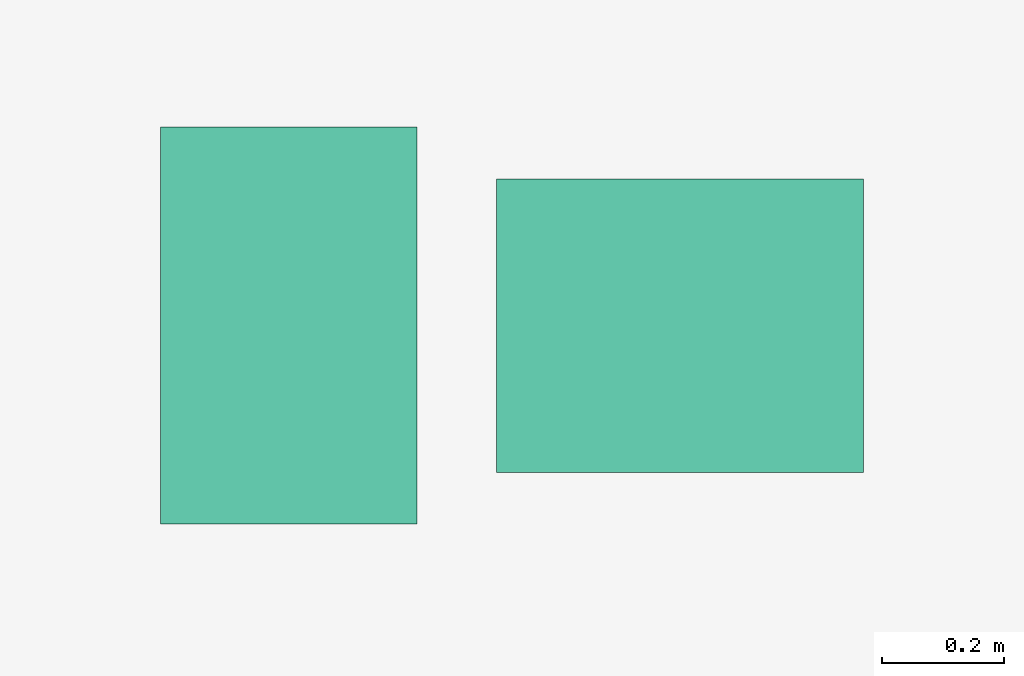
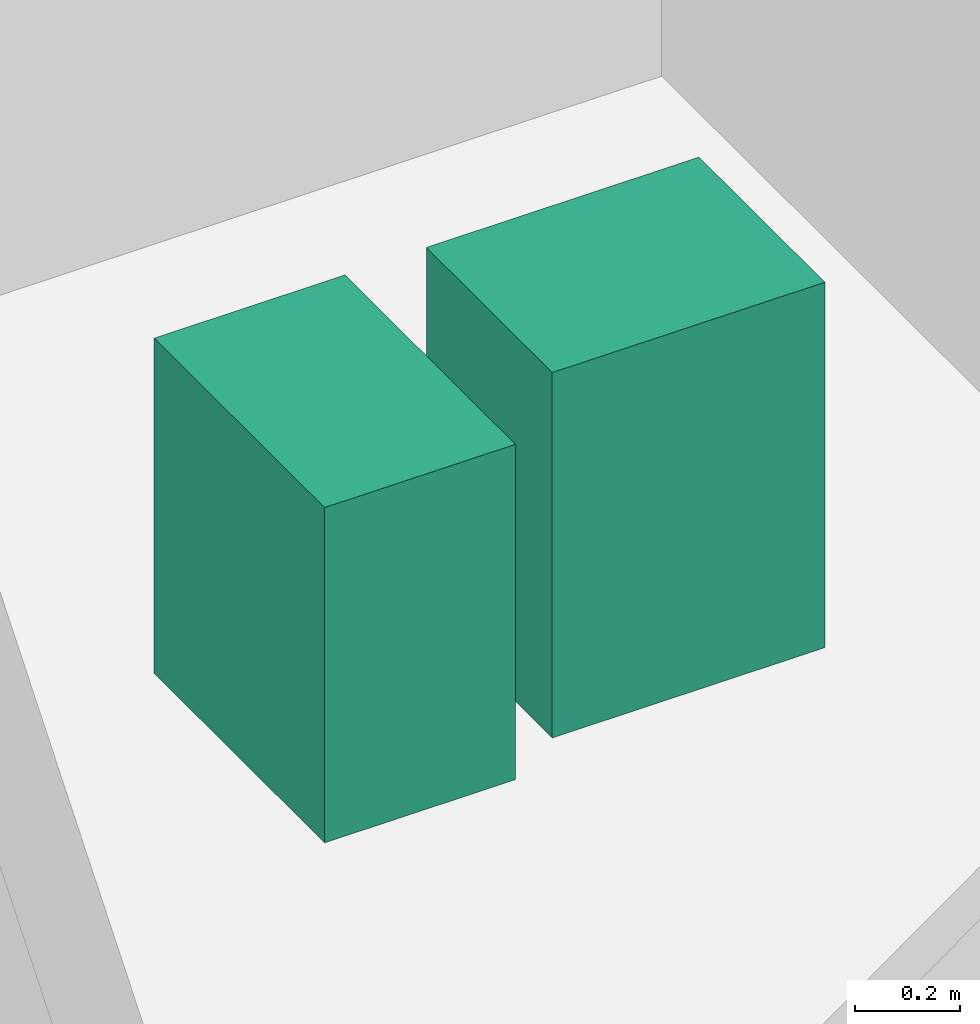
# One storey, part 7 of 7: 2 sanitary terminals.
"""IFC4 building model written with IfcOpenShell, lengths in metres."""

from ifc_helpers import new_model, si_unit, direction, frame, origin, origin_2d, place, context, subcontext, project, spatial, rectangle, extrude, material, type_object, element, save


model = new_model("IFC4")

# Units and contexts
model_context = context("Model", 3, precision=1e-05, world=origin(), true_north=direction((0.0, 1.0)))
body_context = subcontext(model_context, "Body", "Model", "MODEL_VIEW")
ifc_project = project(units=[si_unit("LENGTHUNIT", "METRE"), si_unit("AREAUNIT", "SQUARE_METRE"), si_unit("VOLUMEUNIT", "CUBIC_METRE"), si_unit("PLANEANGLEUNIT", "RADIAN"), si_unit("MASSUNIT", "GRAM", prefix="KILO")], contexts=[model_context])

# Site, building, storey
site_placement = place(None, origin())
site = spatial("IfcSite", under=ifc_project, at=site_placement, CompositionType="ELEMENT")
building_placement = place(site_placement, origin())
building = spatial("IfcBuilding", under=site, at=building_placement, Name="Solmavex Isthmus Hotel", CompositionType="ELEMENT")
storey_placement = place(building_placement, frame((0.0, 0.0, 291.300048828125)))
storey = spatial("IfcBuildingStorey", under=building, at=storey_placement, Name="L79", CompositionType="ELEMENT", Elevation=291.300048828125)

# Sanitary terminals
ifc_material = material(Name="Vitreous china ceramic", Category="ceramic")
sanitary_terminal_type_1 = type_object("IfcSanitaryTerminalType", Name="SAN-BASIN", PredefinedType="WASHHANDBASIN", material=ifc_material)
sanitary_terminal_1_placement = place(storey_placement, frame((3.294921875, -4.360107421875, 0.0), z_axis=(0.0, 0.0, 1.0), x_axis=(1.0, 0.0, 0.0)))
element("IfcSanitaryTerminal", 1, at=sanitary_terminal_1_placement, inside=storey, type_object=sanitary_terminal_type_1, Name="Vanity Washbasin L79-391", PredefinedType="WASHHANDBASIN", context=body_context, shape_type="SweptSolid", body=[
    extrude(rectangle(XDim=0.60009765625, YDim=0.47998046875, at=origin_2d()), origin(), (0.0, 0.0, 1.0), 0.85009765625),
])
sanitary_terminal_type_2 = type_object("IfcSanitaryTerminalType", Name="SAN-WC-SUITE", PredefinedType="TOILETPAN", material=ifc_material)
sanitary_terminal_2_placement = place(storey_placement, frame((2.655029296875, -4.360107421875, 0.0), z_axis=(0.0, 0.0, 1.0), x_axis=(1.0, 0.0, 0.0)))
element("IfcSanitaryTerminal", 2, at=sanitary_terminal_2_placement, inside=storey, type_object=sanitary_terminal_type_2, Name="Water Closet L79-391", PredefinedType="TOILETPAN", context=body_context, shape_type="SweptSolid", body=[
    extrude(rectangle(XDim=0.419921875, YDim=0.64990234375, at=origin_2d()), origin(), (0.0, 0.0, 1.0), 0.780029296875),
])

save(model, "model.ifc")
